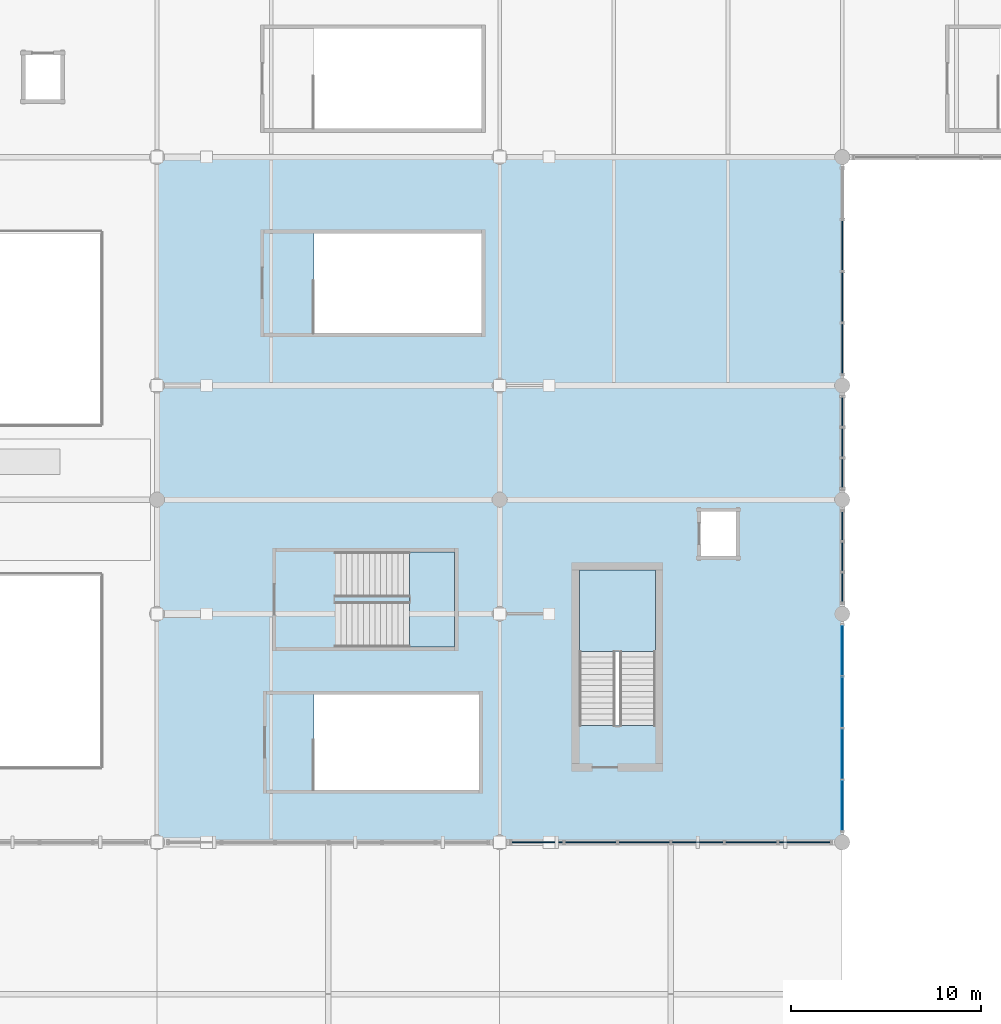
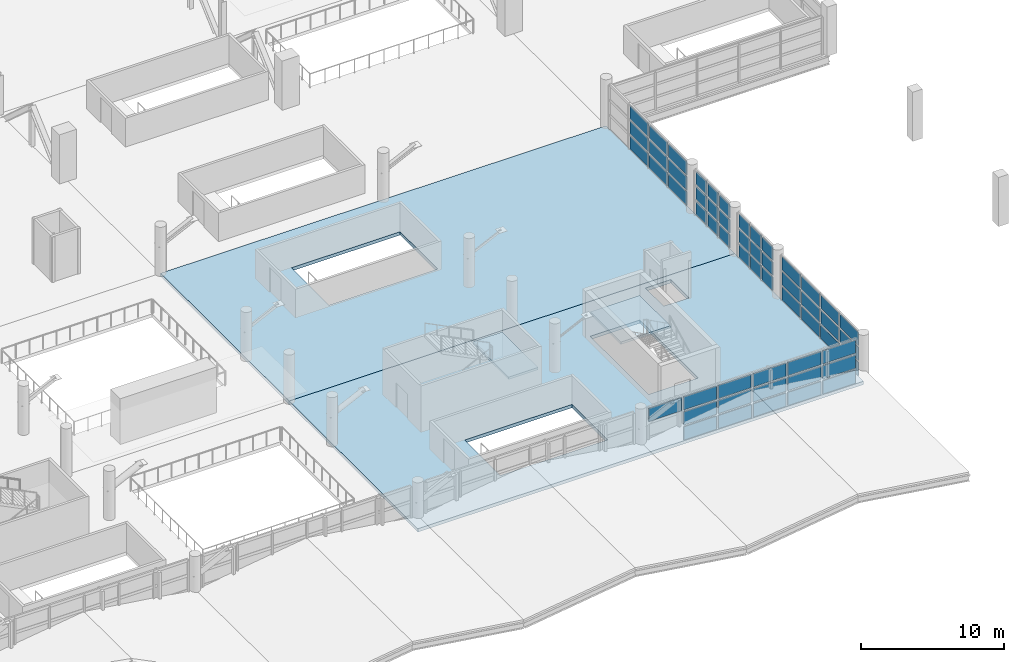
# One storey, part 99 of 136: 55 plates, 4 slabs, 7 elements without a shape of their own.
"""IFC4 building model written with IfcOpenShell, lengths in metres."""

from ifc_helpers import new_model, si_unit, direction, frame, origin, origin_2d, place, context, subcontext, project, spatial, polyline, rectangle, outline, extrude, material, layer, layer_set, type_object, element, aggregate, save


model = new_model("IFC4")

# Units and contexts
model_context = context("Model", 3, precision=1e-05, world=origin(), true_north=direction((0.0, 1.0)))
body_context = subcontext(model_context, "Body", "Model", "MODEL_VIEW")
ifc_project = project(units=[si_unit("LENGTHUNIT", "METRE"), si_unit("AREAUNIT", "SQUARE_METRE"), si_unit("VOLUMEUNIT", "CUBIC_METRE"), si_unit("PLANEANGLEUNIT", "RADIAN"), si_unit("MASSUNIT", "GRAM", prefix="KILO")], contexts=[model_context])

# Site, building, storey
site_placement = place(None, origin())
site = spatial("IfcSite", under=ifc_project, at=site_placement, CompositionType="ELEMENT")
building_placement = place(site_placement, origin())
building = spatial("IfcBuilding", under=site, at=building_placement, Name="Chuanluo Vaults Station", CompositionType="ELEMENT")
storey_placement = place(building_placement, frame((0.0, 0.0, 6.60009765625)))
storey = spatial("IfcBuildingStorey", under=building, at=storey_placement, Name="L01", CompositionType="ELEMENT", Elevation=6.60009765625)

# Curtain wall, plates
ifc_material_1 = material(Name="Anodised aluminium 6063-T6", Category="aluminium")
curtain_wall_type_1 = type_object("IfcCurtainWallType", Name="CW-SYS-05", PredefinedType="NOTDEFINED", material=ifc_material_1)
curtain_wall_1_placement = place(storey_placement, origin())
curtain_wall_1 = element("IfcCurtainWall", 1, at=curtain_wall_1_placement, inside=storey, type_object=curtain_wall_type_1, Name="Concourse east curtain wall 30 part 1", PredefinedType="NOTDEFINED")
ifc_material_2 = material(Name="Ceramic-fritted spandrel glass", Category="glass")
ifc_layer_1 = layer(ifc_material_2, 0.06396484375)
ifc_layer_set_1 = layer_set([ifc_layer_1], Name="Ceramic-fritted spandrel glass")
plate_type_1 = type_object("IfcPlateType", Name="CWP-SPN-42", PredefinedType="SHEET", material=ifc_layer_set_1)
plate_1_placement = place(storey_placement, frame((90.0, 40.61669921875, 0.080078125), z_axis=(0.0, 0.0, 1.0), x_axis=(0.0, -1.0, 0.0)))
plate_1 = element("IfcPlate", 2, at=plate_1_placement, type_object=plate_type_1, Name="Concourse east curtain wall 30 part 1 glazed panel 1.1", PredefinedType="SHEET", context=body_context, shape_type="SweptSolid", body=[
    extrude(rectangle(XDim=1.456787109375, YDim=0.06396484375, at=origin_2d()), origin(), (0.0, 0.0, 1.0), 1.123291015625),
])
plate_2_placement = place(storey_placement, frame((90.0, 39.0, 0.080078125), z_axis=(0.0, 0.0, 1.0), x_axis=(0.0, -1.0, 0.0)))
plate_2 = element("IfcPlate", 3, at=plate_2_placement, type_object=plate_type_1, Name="Concourse east curtain wall 30 part 1 glazed panel 2.1", PredefinedType="SHEET", context=body_context, shape_type="SweptSolid", body=[
    extrude(rectangle(XDim=1.456787109375, YDim=0.06396484375, at=origin_2d()), origin(), (0.0, 0.0, 1.0), 1.123291015625),
])
plate_3_placement = place(storey_placement, frame((90.0, 37.38330078125, 0.080078125), z_axis=(0.0, 0.0, 1.0), x_axis=(0.0, -1.0, 0.0)))
plate_3 = element("IfcPlate", 4, at=plate_3_placement, type_object=plate_type_1, Name="Concourse east curtain wall 30 part 1 glazed panel 3.1", PredefinedType="SHEET", context=body_context, shape_type="SweptSolid", body=[
    extrude(rectangle(XDim=1.456787109375, YDim=0.06396484375, at=origin_2d()), origin(), (0.0, 0.0, 1.0), 1.123291015625),
])

ifc_material_3 = material(Name="Anodised aluminium 6063-T6", Category="aluminium")
curtain_wall_type_2 = type_object("IfcCurtainWallType", Name="CW-SYS-18", PredefinedType="NOTDEFINED", material=ifc_material_3)
curtain_wall_2_placement = place(storey_placement, origin())
curtain_wall_2 = element("IfcCurtainWall", 5, at=curtain_wall_2_placement, inside=storey, type_object=curtain_wall_type_2, Name="Concourse V5 south facade CW", PredefinedType="NOTDEFINED")
ifc_material_4 = material(Name="Ceramic-fritted spandrel glass", Category="glass")
ifc_layer_2 = layer(ifc_material_4, 0.070068359375)
ifc_layer_set_2 = layer_set([ifc_layer_2], Name="Ceramic-fritted spandrel glass")
plate_type_2 = type_object("IfcPlateType", Name="CWP-SPN-50", PredefinedType="SHEET", material=ifc_layer_set_2)
plate_4_placement = place(storey_placement, frame((88.020751953125, 18.0, 0.080078125), z_axis=(0.0, 0.0, 1.0), x_axis=(-1.0, 0.0, 0.0)))
plate_4 = element("IfcPlate", 6, at=plate_4_placement, type_object=plate_type_2, Name="Concourse V5 south facade CW glazed panel 1.1", PredefinedType="SHEET", context=body_context, shape_type="SweptSolid", body=[
    extrude(rectangle(XDim=2.648193359375, YDim=0.070068359375, at=origin_2d()), origin(), (0.0, 0.0, 1.0), 1.123291015625),
])
plate_5_placement = place(storey_placement, frame((85.21240234375, 18.0, 0.080078125), z_axis=(0.0, 0.0, 1.0), x_axis=(-1.0, 0.0, 0.0)))
plate_5 = element("IfcPlate", 7, at=plate_5_placement, type_object=plate_type_2, Name="Concourse V5 south facade CW glazed panel 2.1", PredefinedType="SHEET", context=body_context, shape_type="SweptSolid", body=[
    extrude(rectangle(XDim=2.648193359375, YDim=0.070068359375, at=origin_2d()), origin(), (0.0, 0.0, 1.0), 1.123291015625),
])
plate_6_placement = place(storey_placement, frame((82.404296875, 18.0, 0.080078125), z_axis=(0.0, 0.0, 1.0), x_axis=(-1.0, 0.0, 0.0)))
plate_6 = element("IfcPlate", 8, at=plate_6_placement, type_object=plate_type_2, Name="Concourse V5 south facade CW glazed panel 3.1", PredefinedType="SHEET", context=body_context, shape_type="SweptSolid", body=[
    extrude(rectangle(XDim=2.648193359375, YDim=0.070068359375, at=origin_2d()), origin(), (0.0, 0.0, 1.0), 1.123291015625),
])
plate_7_placement = place(storey_placement, frame((79.595703125, 18.0, 0.080078125), z_axis=(0.0, 0.0, 1.0), x_axis=(-1.0, 0.0, 0.0)))
plate_7 = element("IfcPlate", 9, at=plate_7_placement, type_object=plate_type_2, Name="Concourse V5 south facade CW glazed panel 4.1", PredefinedType="SHEET", context=body_context, shape_type="SweptSolid", body=[
    extrude(rectangle(XDim=2.648193359375, YDim=0.070068359375, at=origin_2d()), origin(), (0.0, 0.0, 1.0), 1.123291015625),
])
plate_8_placement = place(storey_placement, frame((76.78759765625, 18.0, 0.080078125), z_axis=(0.0, 0.0, 1.0), x_axis=(-1.0, 0.0, 0.0)))
plate_8 = element("IfcPlate", 10, at=plate_8_placement, type_object=plate_type_2, Name="Concourse V5 south facade CW glazed panel 5.1", PredefinedType="SHEET", context=body_context, shape_type="SweptSolid", body=[
    extrude(rectangle(XDim=2.648193359375, YDim=0.070068359375, at=origin_2d()), origin(), (0.0, 0.0, 1.0), 1.123291015625),
])

ifc_material_5 = material(Name="Anodised aluminium 6063-T6", Category="aluminium")
curtain_wall_type_3 = type_object("IfcCurtainWallType", Name="CW-SYS-28", PredefinedType="NOTDEFINED", material=ifc_material_5)
curtain_wall_3_placement = place(storey_placement, origin())
curtain_wall_3 = element("IfcCurtainWall", 11, at=curtain_wall_3_placement, inside=storey, type_object=curtain_wall_type_3, Name="Concourse east curtain wall 18", PredefinedType="NOTDEFINED")
plate_9_placement = place(storey_placement, frame((90.0, 28.06884765625, 0.080078125), z_axis=(0.0, 0.0, 1.0), x_axis=(0.0, -1.0, 0.0)))
plate_9 = element("IfcPlate", 12, at=plate_9_placement, type_object=plate_type_2, Name="Concourse east curtain wall 18 glazed panel 1.1", PredefinedType="SHEET", context=body_context, shape_type="SweptSolid", body=[
    extrude(rectangle(XDim=2.552490234375, YDim=0.070068359375, at=origin_2d()), origin(), (0.0, 0.0, 1.0), 1.123291015625),
])
plate_10_placement = place(storey_placement, frame((90.0, 25.356201171875, 0.080078125), z_axis=(0.0, 0.0, 1.0), x_axis=(0.0, -1.0, 0.0)))
plate_10 = element("IfcPlate", 13, at=plate_10_placement, type_object=plate_type_2, Name="Concourse east curtain wall 18 glazed panel 2.1", PredefinedType="SHEET", context=body_context, shape_type="SweptSolid", body=[
    extrude(rectangle(XDim=2.552490234375, YDim=0.070068359375, at=origin_2d()), origin(), (0.0, 0.0, 1.0), 1.123291015625),
])
plate_11_placement = place(storey_placement, frame((90.0, 22.643798828125, 0.080078125), z_axis=(0.0, 0.0, 1.0), x_axis=(0.0, -1.0, 0.0)))
plate_11 = element("IfcPlate", 14, at=plate_11_placement, type_object=plate_type_2, Name="Concourse east curtain wall 18 glazed panel 3.1", PredefinedType="SHEET", context=body_context, shape_type="SweptSolid", body=[
    extrude(rectangle(XDim=2.552490234375, YDim=0.070068359375, at=origin_2d()), origin(), (0.0, 0.0, 1.0), 1.123291015625),
])
plate_12_placement = place(storey_placement, frame((90.0, 19.93115234375, 0.080078125), z_axis=(0.0, 0.0, 1.0), x_axis=(0.0, -1.0, 0.0)))
plate_12 = element("IfcPlate", 15, at=plate_12_placement, type_object=plate_type_2, Name="Concourse east curtain wall 18 glazed panel 4.1", PredefinedType="SHEET", context=body_context, shape_type="SweptSolid", body=[
    extrude(rectangle(XDim=2.552490234375, YDim=0.070068359375, at=origin_2d()), origin(), (0.0, 0.0, 1.0), 1.123291015625),
])

ifc_material_6 = material(Name="Anodised aluminium 6063-T6", Category="aluminium")
curtain_wall_type_4 = type_object("IfcCurtainWallType", Name="CW-SYS-06", PredefinedType="NOTDEFINED", material=ifc_material_6)
curtain_wall_4_placement = place(storey_placement, origin())
curtain_wall_4 = element("IfcCurtainWall", 16, at=curtain_wall_4_placement, inside=storey, type_object=curtain_wall_type_4, Name="Concourse east curtain wall 30 part 2", PredefinedType="NOTDEFINED")
plate_13_placement = place(storey_placement, frame((90.0, 34.61669921875, 0.080078125), z_axis=(0.0, 0.0, 1.0), x_axis=(0.0, -1.0, 0.0)))
plate_13 = element("IfcPlate", 17, at=plate_13_placement, type_object=plate_type_2, Name="Concourse east curtain wall 30 part 2 glazed panel 1.1", PredefinedType="SHEET", context=body_context, shape_type="SweptSolid", body=[
    extrude(rectangle(XDim=1.456787109375, YDim=0.070068359375, at=origin_2d()), origin(), (0.0, 0.0, 1.0), 1.123291015625),
])
plate_14_placement = place(storey_placement, frame((90.0, 33.0, 0.080078125), z_axis=(0.0, 0.0, 1.0), x_axis=(0.0, -1.0, 0.0)))
plate_14 = element("IfcPlate", 18, at=plate_14_placement, type_object=plate_type_2, Name="Concourse east curtain wall 30 part 2 glazed panel 2.1", PredefinedType="SHEET", context=body_context, shape_type="SweptSolid", body=[
    extrude(rectangle(XDim=1.456787109375, YDim=0.070068359375, at=origin_2d()), origin(), (0.0, 0.0, 1.0), 1.123291015625),
])
plate_15_placement = place(storey_placement, frame((90.0, 31.38330078125, 0.080078125), z_axis=(0.0, 0.0, 1.0), x_axis=(0.0, -1.0, 0.0)))
plate_15 = element("IfcPlate", 19, at=plate_15_placement, type_object=plate_type_2, Name="Concourse east curtain wall 30 part 2 glazed panel 3.1", PredefinedType="SHEET", context=body_context, shape_type="SweptSolid", body=[
    extrude(rectangle(XDim=1.456787109375, YDim=0.070068359375, at=origin_2d()), origin(), (0.0, 0.0, 1.0), 1.123291015625),
])

ifc_material_7 = material(Name="Anodised aluminium 6063-T6", Category="aluminium")
curtain_wall_type_5 = type_object("IfcCurtainWallType", Name="CW-SYS-10", PredefinedType="NOTDEFINED", material=ifc_material_7)
curtain_wall_5_placement = place(storey_placement, origin())
curtain_wall_5 = element("IfcCurtainWall", 20, at=curtain_wall_5_placement, inside=storey, type_object=curtain_wall_type_5, Name="Concourse east curtain wall 42", PredefinedType="NOTDEFINED")
plate_16_placement = place(storey_placement, frame((90.0, 49.356201171875, 0.080078125), z_axis=(0.0, 0.0, 1.0), x_axis=(0.0, -1.0, 0.0)))
plate_16 = element("IfcPlate", 21, at=plate_16_placement, type_object=plate_type_2, Name="Concourse east curtain wall 42 glazed panel 2.1", PredefinedType="SHEET", context=body_context, shape_type="SweptSolid", body=[
    extrude(rectangle(XDim=2.552490234375, YDim=0.070068359375, at=origin_2d()), origin(), (0.0, 0.0, 1.0), 1.123291015625),
])
plate_17_placement = place(storey_placement, frame((90.0, 46.643798828125, 0.080078125), z_axis=(0.0, 0.0, 1.0), x_axis=(0.0, -1.0, 0.0)))
plate_17 = element("IfcPlate", 22, at=plate_17_placement, type_object=plate_type_2, Name="Concourse east curtain wall 42 glazed panel 3.1", PredefinedType="SHEET", context=body_context, shape_type="SweptSolid", body=[
    extrude(rectangle(XDim=2.552490234375, YDim=0.070068359375, at=origin_2d()), origin(), (0.0, 0.0, 1.0), 1.123291015625),
])
plate_18_placement = place(storey_placement, frame((90.0, 43.931396484375, 0.080078125), z_axis=(0.0, 0.0, 1.0), x_axis=(0.0, -1.0, 0.0)))
plate_18 = element("IfcPlate", 23, at=plate_18_placement, type_object=plate_type_2, Name="Concourse east curtain wall 42 glazed panel 4.1", PredefinedType="SHEET", context=body_context, shape_type="SweptSolid", body=[
    extrude(rectangle(XDim=2.552490234375, YDim=0.070068359375, at=origin_2d()), origin(), (0.0, 0.0, 1.0), 1.123291015625),
])

# Plate
ifc_material_8 = material(Name="Double-silver Low-E laminated glass", Category="glass")
ifc_layer_3 = layer(ifc_material_8, 0.0439453125)
ifc_layer_set_3 = layer_set([ifc_layer_3], Name="Double-silver Low-E laminated glass")
plate_type_3 = type_object("IfcPlateType", Name="CWP-VIS-28", PredefinedType="CURTAIN_PANEL", material=ifc_layer_set_3)
plate_19_placement = place(storey_placement, frame((90.0, 28.06884765625, 1.36328125), z_axis=(0.0, 0.0, 1.0), x_axis=(0.0, -1.0, 0.0)))
plate_19 = element("IfcPlate", 24, at=plate_19_placement, type_object=plate_type_3, Name="Concourse east curtain wall 18 glazed panel 1.2", PredefinedType="CURTAIN_PANEL", context=body_context, shape_type="SweptSolid", body=[
    extrude(rectangle(XDim=2.552490234375, YDim=0.0439453125, at=origin_2d()), origin(), (0.0, 0.0, 1.0), 1.123291015625),
])

plate_20_placement = place(storey_placement, frame((90.0, 28.06884765625, 2.646484375), z_axis=(0.0, 0.0, 1.0), x_axis=(0.0, -1.0, 0.0)))
plate_20 = element("IfcPlate", 25, at=plate_20_placement, type_object=plate_type_3, Name="Concourse east curtain wall 18 glazed panel 1.3", PredefinedType="CURTAIN_PANEL", context=body_context, shape_type="SweptSolid", body=[
    extrude(rectangle(XDim=2.552490234375, YDim=0.0439453125, at=origin_2d()), origin(), (0.0, 0.0, 1.0), 1.123291015625),
])

plate_21_placement = place(storey_placement, frame((90.0, 25.356201171875, 1.36328125), z_axis=(0.0, 0.0, 1.0), x_axis=(0.0, -1.0, 0.0)))
plate_21 = element("IfcPlate", 26, at=plate_21_placement, type_object=plate_type_3, Name="Concourse east curtain wall 18 glazed panel 2.2", PredefinedType="CURTAIN_PANEL", context=body_context, shape_type="SweptSolid", body=[
    extrude(rectangle(XDim=2.552490234375, YDim=0.0439453125, at=origin_2d()), origin(), (0.0, 0.0, 1.0), 1.123291015625),
])

plate_22_placement = place(storey_placement, frame((90.0, 25.356201171875, 2.646484375), z_axis=(0.0, 0.0, 1.0), x_axis=(0.0, -1.0, 0.0)))
plate_22 = element("IfcPlate", 27, at=plate_22_placement, type_object=plate_type_3, Name="Concourse east curtain wall 18 glazed panel 2.3", PredefinedType="CURTAIN_PANEL", context=body_context, shape_type="SweptSolid", body=[
    extrude(rectangle(XDim=2.552490234375, YDim=0.0439453125, at=origin_2d()), origin(), (0.0, 0.0, 1.0), 1.123291015625),
])

plate_23_placement = place(storey_placement, frame((90.0, 22.643798828125, 1.36328125), z_axis=(0.0, 0.0, 1.0), x_axis=(0.0, -1.0, 0.0)))
plate_23 = element("IfcPlate", 28, at=plate_23_placement, type_object=plate_type_3, Name="Concourse east curtain wall 18 glazed panel 3.2", PredefinedType="CURTAIN_PANEL", context=body_context, shape_type="SweptSolid", body=[
    extrude(rectangle(XDim=2.552490234375, YDim=0.0439453125, at=origin_2d()), origin(), (0.0, 0.0, 1.0), 1.123291015625),
])

plate_24_placement = place(storey_placement, frame((90.0, 22.643798828125, 2.646484375), z_axis=(0.0, 0.0, 1.0), x_axis=(0.0, -1.0, 0.0)))
plate_24 = element("IfcPlate", 29, at=plate_24_placement, type_object=plate_type_3, Name="Concourse east curtain wall 18 glazed panel 3.3", PredefinedType="CURTAIN_PANEL", context=body_context, shape_type="SweptSolid", body=[
    extrude(rectangle(XDim=2.552490234375, YDim=0.0439453125, at=origin_2d()), origin(), (0.0, 0.0, 1.0), 1.123291015625),
])

plate_25_placement = place(storey_placement, frame((90.0, 19.93115234375, 1.36328125), z_axis=(0.0, 0.0, 1.0), x_axis=(0.0, -1.0, 0.0)))
plate_25 = element("IfcPlate", 30, at=plate_25_placement, type_object=plate_type_3, Name="Concourse east curtain wall 18 glazed panel 4.2", PredefinedType="CURTAIN_PANEL", context=body_context, shape_type="SweptSolid", body=[
    extrude(rectangle(XDim=2.552490234375, YDim=0.0439453125, at=origin_2d()), origin(), (0.0, 0.0, 1.0), 1.123291015625),
])

plate_26_placement = place(storey_placement, frame((90.0, 19.93115234375, 2.646484375), z_axis=(0.0, 0.0, 1.0), x_axis=(0.0, -1.0, 0.0)))
plate_26 = element("IfcPlate", 31, at=plate_26_placement, type_object=plate_type_3, Name="Concourse east curtain wall 18 glazed panel 4.3", PredefinedType="CURTAIN_PANEL", context=body_context, shape_type="SweptSolid", body=[
    extrude(rectangle(XDim=2.552490234375, YDim=0.0439453125, at=origin_2d()), origin(), (0.0, 0.0, 1.0), 1.123291015625),
])

aggregate(curtain_wall_3, [plate_9, plate_19, plate_20, plate_10, plate_21, plate_22, plate_11, plate_23, plate_24, plate_12, plate_25, plate_26])

ifc_material_9 = material(Name="Double-silver Low-E laminated glass", Category="glass")
ifc_layer_4 = layer(ifc_material_9, 0.053955078125)
ifc_layer_set_4 = layer_set([ifc_layer_4], Name="Double-silver Low-E laminated glass")
plate_type_4 = type_object("IfcPlateType", Name="CWP-VIS-36", PredefinedType="CURTAIN_PANEL", material=ifc_layer_set_4)
plate_27_placement = place(storey_placement, frame((88.020751953125, 18.0, 1.36328125), z_axis=(0.0, 0.0, 1.0), x_axis=(-1.0, 0.0, 0.0)))
plate_27 = element("IfcPlate", 32, at=plate_27_placement, type_object=plate_type_4, Name="Concourse V5 south facade CW glazed panel 1.2", PredefinedType="CURTAIN_PANEL", context=body_context, shape_type="SweptSolid", body=[
    extrude(rectangle(XDim=2.648193359375, YDim=0.053955078125, at=origin_2d()), origin(), (0.0, 0.0, 1.0), 1.123291015625),
])

plate_28_placement = place(storey_placement, frame((88.020751953125, 18.0, 2.646484375), z_axis=(0.0, 0.0, 1.0), x_axis=(-1.0, 0.0, 0.0)))
plate_28 = element("IfcPlate", 33, at=plate_28_placement, type_object=plate_type_4, Name="Concourse V5 south facade CW glazed panel 1.3", PredefinedType="CURTAIN_PANEL", context=body_context, shape_type="SweptSolid", body=[
    extrude(rectangle(XDim=2.648193359375, YDim=0.053955078125, at=origin_2d()), origin(), (0.0, 0.0, 1.0), 1.123291015625),
])

plate_29_placement = place(storey_placement, frame((85.21240234375, 18.0, 1.36328125), z_axis=(0.0, 0.0, 1.0), x_axis=(-1.0, 0.0, 0.0)))
plate_29 = element("IfcPlate", 34, at=plate_29_placement, type_object=plate_type_4, Name="Concourse V5 south facade CW glazed panel 2.2", PredefinedType="CURTAIN_PANEL", context=body_context, shape_type="SweptSolid", body=[
    extrude(rectangle(XDim=2.648193359375, YDim=0.053955078125, at=origin_2d()), origin(), (0.0, 0.0, 1.0), 1.123291015625),
])

plate_30_placement = place(storey_placement, frame((85.21240234375, 18.0, 2.646484375), z_axis=(0.0, 0.0, 1.0), x_axis=(-1.0, 0.0, 0.0)))
plate_30 = element("IfcPlate", 35, at=plate_30_placement, type_object=plate_type_4, Name="Concourse V5 south facade CW glazed panel 2.3", PredefinedType="CURTAIN_PANEL", context=body_context, shape_type="SweptSolid", body=[
    extrude(rectangle(XDim=2.648193359375, YDim=0.053955078125, at=origin_2d()), origin(), (0.0, 0.0, 1.0), 1.123291015625),
])

plate_31_placement = place(storey_placement, frame((82.404296875, 18.0, 1.36328125), z_axis=(0.0, 0.0, 1.0), x_axis=(-1.0, 0.0, 0.0)))
plate_31 = element("IfcPlate", 36, at=plate_31_placement, type_object=plate_type_4, Name="Concourse V5 south facade CW glazed panel 3.2", PredefinedType="CURTAIN_PANEL", context=body_context, shape_type="SweptSolid", body=[
    extrude(rectangle(XDim=2.648193359375, YDim=0.053955078125, at=origin_2d()), origin(), (0.0, 0.0, 1.0), 1.123291015625),
])

plate_32_placement = place(storey_placement, frame((82.404296875, 18.0, 2.646484375), z_axis=(0.0, 0.0, 1.0), x_axis=(-1.0, 0.0, 0.0)))
plate_32 = element("IfcPlate", 37, at=plate_32_placement, type_object=plate_type_4, Name="Concourse V5 south facade CW glazed panel 3.3", PredefinedType="CURTAIN_PANEL", context=body_context, shape_type="SweptSolid", body=[
    extrude(rectangle(XDim=2.648193359375, YDim=0.053955078125, at=origin_2d()), origin(), (0.0, 0.0, 1.0), 1.123291015625),
])

plate_33_placement = place(storey_placement, frame((79.595703125, 18.0, 1.36328125), z_axis=(0.0, 0.0, 1.0), x_axis=(-1.0, 0.0, 0.0)))
plate_33 = element("IfcPlate", 38, at=plate_33_placement, type_object=plate_type_4, Name="Concourse V5 south facade CW glazed panel 4.2", PredefinedType="CURTAIN_PANEL", context=body_context, shape_type="SweptSolid", body=[
    extrude(rectangle(XDim=2.648193359375, YDim=0.053955078125, at=origin_2d()), origin(), (0.0, 0.0, 1.0), 1.123291015625),
])

plate_34_placement = place(storey_placement, frame((79.595703125, 18.0, 2.646484375), z_axis=(0.0, 0.0, 1.0), x_axis=(-1.0, 0.0, 0.0)))
plate_34 = element("IfcPlate", 39, at=plate_34_placement, type_object=plate_type_4, Name="Concourse V5 south facade CW glazed panel 4.3", PredefinedType="CURTAIN_PANEL", context=body_context, shape_type="SweptSolid", body=[
    extrude(rectangle(XDim=2.648193359375, YDim=0.053955078125, at=origin_2d()), origin(), (0.0, 0.0, 1.0), 1.123291015625),
])

plate_35_placement = place(storey_placement, frame((76.78759765625, 18.0, 1.36328125), z_axis=(0.0, 0.0, 1.0), x_axis=(-1.0, 0.0, 0.0)))
plate_35 = element("IfcPlate", 40, at=plate_35_placement, type_object=plate_type_4, Name="Concourse V5 south facade CW glazed panel 5.2", PredefinedType="CURTAIN_PANEL", context=body_context, shape_type="SweptSolid", body=[
    extrude(rectangle(XDim=2.648193359375, YDim=0.053955078125, at=origin_2d()), origin(), (0.0, 0.0, 1.0), 1.123291015625),
])

plate_36_placement = place(storey_placement, frame((76.78759765625, 18.0, 2.646484375), z_axis=(0.0, 0.0, 1.0), x_axis=(-1.0, 0.0, 0.0)))
plate_36 = element("IfcPlate", 41, at=plate_36_placement, type_object=plate_type_4, Name="Concourse V5 south facade CW glazed panel 5.3", PredefinedType="CURTAIN_PANEL", context=body_context, shape_type="SweptSolid", body=[
    extrude(rectangle(XDim=2.648193359375, YDim=0.053955078125, at=origin_2d()), origin(), (0.0, 0.0, 1.0), 1.123291015625),
])

plate_37_placement = place(storey_placement, frame((73.979248046875, 18.0, 2.646484375), z_axis=(0.0, 0.0, 1.0), x_axis=(-1.0, 0.0, 0.0)))
plate_37 = element("IfcPlate", 42, at=plate_37_placement, type_object=plate_type_4, Name="Concourse V5 south facade CW glazed panel 6.3", PredefinedType="CURTAIN_PANEL", context=body_context, shape_type="SweptSolid", body=[
    extrude(rectangle(XDim=2.648193359375, YDim=0.053955078125, at=origin_2d()), origin(), (0.0, 0.0, 1.0), 1.123291015625),
])

aggregate(curtain_wall_2, [plate_4, plate_27, plate_28, plate_5, plate_29, plate_30, plate_6, plate_31, plate_32, plate_7, plate_33, plate_34, plate_8, plate_35, plate_36, plate_37])

plate_38_placement = place(storey_placement, frame((90.0, 34.61669921875, 1.36328125), z_axis=(0.0, 0.0, 1.0), x_axis=(0.0, -1.0, 0.0)))
plate_38 = element("IfcPlate", 43, at=plate_38_placement, type_object=plate_type_4, Name="Concourse east curtain wall 30 part 2 glazed panel 1.2", PredefinedType="CURTAIN_PANEL", context=body_context, shape_type="SweptSolid", body=[
    extrude(rectangle(XDim=1.456787109375, YDim=0.053955078125, at=origin_2d()), origin(), (0.0, 0.0, 1.0), 1.123291015625),
])

plate_39_placement = place(storey_placement, frame((90.0, 34.61669921875, 2.646484375), z_axis=(0.0, 0.0, 1.0), x_axis=(0.0, -1.0, 0.0)))
plate_39 = element("IfcPlate", 44, at=plate_39_placement, type_object=plate_type_4, Name="Concourse east curtain wall 30 part 2 glazed panel 1.3", PredefinedType="CURTAIN_PANEL", context=body_context, shape_type="SweptSolid", body=[
    extrude(rectangle(XDim=1.456787109375, YDim=0.053955078125, at=origin_2d()), origin(), (0.0, 0.0, 1.0), 1.123291015625),
])

plate_40_placement = place(storey_placement, frame((90.0, 33.0, 1.36328125), z_axis=(0.0, 0.0, 1.0), x_axis=(0.0, -1.0, 0.0)))
plate_40 = element("IfcPlate", 45, at=plate_40_placement, type_object=plate_type_4, Name="Concourse east curtain wall 30 part 2 glazed panel 2.2", PredefinedType="CURTAIN_PANEL", context=body_context, shape_type="SweptSolid", body=[
    extrude(rectangle(XDim=1.456787109375, YDim=0.053955078125, at=origin_2d()), origin(), (0.0, 0.0, 1.0), 1.123291015625),
])

plate_41_placement = place(storey_placement, frame((90.0, 33.0, 2.646484375), z_axis=(0.0, 0.0, 1.0), x_axis=(0.0, -1.0, 0.0)))
plate_41 = element("IfcPlate", 46, at=plate_41_placement, type_object=plate_type_4, Name="Concourse east curtain wall 30 part 2 glazed panel 2.3", PredefinedType="CURTAIN_PANEL", context=body_context, shape_type="SweptSolid", body=[
    extrude(rectangle(XDim=1.456787109375, YDim=0.053955078125, at=origin_2d()), origin(), (0.0, 0.0, 1.0), 1.123291015625),
])

plate_42_placement = place(storey_placement, frame((90.0, 31.38330078125, 1.36328125), z_axis=(0.0, 0.0, 1.0), x_axis=(0.0, -1.0, 0.0)))
plate_42 = element("IfcPlate", 47, at=plate_42_placement, type_object=plate_type_4, Name="Concourse east curtain wall 30 part 2 glazed panel 3.2", PredefinedType="CURTAIN_PANEL", context=body_context, shape_type="SweptSolid", body=[
    extrude(rectangle(XDim=1.456787109375, YDim=0.053955078125, at=origin_2d()), origin(), (0.0, 0.0, 1.0), 1.123291015625),
])

plate_43_placement = place(storey_placement, frame((90.0, 31.38330078125, 2.646484375), z_axis=(0.0, 0.0, 1.0), x_axis=(0.0, -1.0, 0.0)))
plate_43 = element("IfcPlate", 48, at=plate_43_placement, type_object=plate_type_4, Name="Concourse east curtain wall 30 part 2 glazed panel 3.3", PredefinedType="CURTAIN_PANEL", context=body_context, shape_type="SweptSolid", body=[
    extrude(rectangle(XDim=1.456787109375, YDim=0.053955078125, at=origin_2d()), origin(), (0.0, 0.0, 1.0), 1.123291015625),
])

aggregate(curtain_wall_4, [plate_13, plate_38, plate_39, plate_14, plate_40, plate_41, plate_15, plate_42, plate_43])

plate_44_placement = place(storey_placement, frame((90.0, 49.356201171875, 1.36328125), z_axis=(0.0, 0.0, 1.0), x_axis=(0.0, -1.0, 0.0)))
plate_44 = element("IfcPlate", 49, at=plate_44_placement, type_object=plate_type_4, Name="Concourse east curtain wall 42 glazed panel 2.2", PredefinedType="CURTAIN_PANEL", context=body_context, shape_type="SweptSolid", body=[
    extrude(rectangle(XDim=2.552490234375, YDim=0.053955078125, at=origin_2d()), origin(), (0.0, 0.0, 1.0), 1.123291015625),
])

plate_45_placement = place(storey_placement, frame((90.0, 49.356201171875, 2.646484375), z_axis=(0.0, 0.0, 1.0), x_axis=(0.0, -1.0, 0.0)))
plate_45 = element("IfcPlate", 50, at=plate_45_placement, type_object=plate_type_4, Name="Concourse east curtain wall 42 glazed panel 2.3", PredefinedType="CURTAIN_PANEL", context=body_context, shape_type="SweptSolid", body=[
    extrude(rectangle(XDim=2.552490234375, YDim=0.053955078125, at=origin_2d()), origin(), (0.0, 0.0, 1.0), 1.123291015625),
])

plate_46_placement = place(storey_placement, frame((90.0, 46.643798828125, 1.36328125), z_axis=(0.0, 0.0, 1.0), x_axis=(0.0, -1.0, 0.0)))
plate_46 = element("IfcPlate", 51, at=plate_46_placement, type_object=plate_type_4, Name="Concourse east curtain wall 42 glazed panel 3.2", PredefinedType="CURTAIN_PANEL", context=body_context, shape_type="SweptSolid", body=[
    extrude(rectangle(XDim=2.552490234375, YDim=0.053955078125, at=origin_2d()), origin(), (0.0, 0.0, 1.0), 1.123291015625),
])

plate_47_placement = place(storey_placement, frame((90.0, 46.643798828125, 2.646484375), z_axis=(0.0, 0.0, 1.0), x_axis=(0.0, -1.0, 0.0)))
plate_47 = element("IfcPlate", 52, at=plate_47_placement, type_object=plate_type_4, Name="Concourse east curtain wall 42 glazed panel 3.3", PredefinedType="CURTAIN_PANEL", context=body_context, shape_type="SweptSolid", body=[
    extrude(rectangle(XDim=2.552490234375, YDim=0.053955078125, at=origin_2d()), origin(), (0.0, 0.0, 1.0), 1.123291015625),
])

plate_48_placement = place(storey_placement, frame((90.0, 43.931396484375, 1.36328125), z_axis=(0.0, 0.0, 1.0), x_axis=(0.0, -1.0, 0.0)))
plate_48 = element("IfcPlate", 53, at=plate_48_placement, type_object=plate_type_4, Name="Concourse east curtain wall 42 glazed panel 4.2", PredefinedType="CURTAIN_PANEL", context=body_context, shape_type="SweptSolid", body=[
    extrude(rectangle(XDim=2.552490234375, YDim=0.053955078125, at=origin_2d()), origin(), (0.0, 0.0, 1.0), 1.123291015625),
])

plate_49_placement = place(storey_placement, frame((90.0, 43.931396484375, 2.646484375), z_axis=(0.0, 0.0, 1.0), x_axis=(0.0, -1.0, 0.0)))
plate_49 = element("IfcPlate", 54, at=plate_49_placement, type_object=plate_type_4, Name="Concourse east curtain wall 42 glazed panel 4.3", PredefinedType="CURTAIN_PANEL", context=body_context, shape_type="SweptSolid", body=[
    extrude(rectangle(XDim=2.552490234375, YDim=0.053955078125, at=origin_2d()), origin(), (0.0, 0.0, 1.0), 1.123291015625),
])

aggregate(curtain_wall_5, [plate_16, plate_44, plate_45, plate_17, plate_46, plate_47, plate_18, plate_48, plate_49])

ifc_material_10 = material(Name="Double-silver Low-E laminated glass", Category="glass")
ifc_layer_5 = layer(ifc_material_10, 0.05810546875)
ifc_layer_set_5 = layer_set([ifc_layer_5], Name="Double-silver Low-E laminated glass")
plate_type_5 = type_object("IfcPlateType", Name="CWP-VIS-38", PredefinedType="CURTAIN_PANEL", material=ifc_layer_set_5)
plate_50_placement = place(storey_placement, frame((90.0, 40.61669921875, 1.36328125), z_axis=(0.0, 0.0, 1.0), x_axis=(0.0, -1.0, 0.0)))
plate_50 = element("IfcPlate", 55, at=plate_50_placement, type_object=plate_type_5, Name="Concourse east curtain wall 30 part 1 glazed panel 1.2", PredefinedType="CURTAIN_PANEL", context=body_context, shape_type="SweptSolid", body=[
    extrude(rectangle(XDim=1.456787109375, YDim=0.05810546875, at=origin_2d()), origin(), (0.0, 0.0, 1.0), 1.123291015625),
])

plate_51_placement = place(storey_placement, frame((90.0, 40.61669921875, 2.646484375), z_axis=(0.0, 0.0, 1.0), x_axis=(0.0, -1.0, 0.0)))
plate_51 = element("IfcPlate", 56, at=plate_51_placement, type_object=plate_type_5, Name="Concourse east curtain wall 30 part 1 glazed panel 1.3", PredefinedType="CURTAIN_PANEL", context=body_context, shape_type="SweptSolid", body=[
    extrude(rectangle(XDim=1.456787109375, YDim=0.05810546875, at=origin_2d()), origin(), (0.0, 0.0, 1.0), 1.123291015625),
])

plate_52_placement = place(storey_placement, frame((90.0, 39.0, 1.36328125), z_axis=(0.0, 0.0, 1.0), x_axis=(0.0, -1.0, 0.0)))
plate_52 = element("IfcPlate", 57, at=plate_52_placement, type_object=plate_type_5, Name="Concourse east curtain wall 30 part 1 glazed panel 2.2", PredefinedType="CURTAIN_PANEL", context=body_context, shape_type="SweptSolid", body=[
    extrude(rectangle(XDim=1.456787109375, YDim=0.05810546875, at=origin_2d()), origin(), (0.0, 0.0, 1.0), 1.123291015625),
])

plate_53_placement = place(storey_placement, frame((90.0, 39.0, 2.646484375), z_axis=(0.0, 0.0, 1.0), x_axis=(0.0, -1.0, 0.0)))
plate_53 = element("IfcPlate", 58, at=plate_53_placement, type_object=plate_type_5, Name="Concourse east curtain wall 30 part 1 glazed panel 2.3", PredefinedType="CURTAIN_PANEL", context=body_context, shape_type="SweptSolid", body=[
    extrude(rectangle(XDim=1.456787109375, YDim=0.05810546875, at=origin_2d()), origin(), (0.0, 0.0, 1.0), 1.123291015625),
])

plate_54_placement = place(storey_placement, frame((90.0, 37.38330078125, 1.36328125), z_axis=(0.0, 0.0, 1.0), x_axis=(0.0, -1.0, 0.0)))
plate_54 = element("IfcPlate", 59, at=plate_54_placement, type_object=plate_type_5, Name="Concourse east curtain wall 30 part 1 glazed panel 3.2", PredefinedType="CURTAIN_PANEL", context=body_context, shape_type="SweptSolid", body=[
    extrude(rectangle(XDim=1.456787109375, YDim=0.05810546875, at=origin_2d()), origin(), (0.0, 0.0, 1.0), 1.123291015625),
])

plate_55_placement = place(storey_placement, frame((90.0, 37.38330078125, 2.646484375), z_axis=(0.0, 0.0, 1.0), x_axis=(0.0, -1.0, 0.0)))
plate_55 = element("IfcPlate", 60, at=plate_55_placement, type_object=plate_type_5, Name="Concourse east curtain wall 30 part 1 glazed panel 3.3", PredefinedType="CURTAIN_PANEL", context=body_context, shape_type="SweptSolid", body=[
    extrude(rectangle(XDim=1.456787109375, YDim=0.05810546875, at=origin_2d()), origin(), (0.0, 0.0, 1.0), 1.123291015625),
])

aggregate(curtain_wall_1, [plate_1, plate_50, plate_51, plate_2, plate_52, plate_53, plate_3, plate_54, plate_55])

# Slabs
ifc_material_11 = material(Name="Concrete C40", Category="concrete")
ifc_layer_6 = layer(ifc_material_11, 0.280029296875)
ifc_layer_set_6 = layer_set([ifc_layer_6], Name="Concrete C40")
slab_type_1 = type_object("IfcSlabType", Name="SLB-CON-280", PredefinedType="FLOOR", material=ifc_layer_set_6)
slab_1_placement = place(storey_placement, frame((0.0, 0.0, -0.280029296875)))
element("IfcSlab", 61, at=slab_1_placement, inside=storey, type_object=slab_type_1, Name="L01 CON slab 03", PredefinedType="FLOOR", context=body_context, shape_type="SweptSolid", body=[
    extrude(outline(polyline([(54.0, 18.0), (90.0, 18.0), (90.0, 36.0), (54.0, 36.0), (54.0, 18.0)]), holes=[polyline([(80.1875, 24.12890625), (80.1875, 32.300048828125), (76.1875, 32.300048828125), (76.1875, 24.12890625), (80.1875, 24.12890625)]), polyline([(62.25390625, 20.75), (70.925048828125, 20.75), (70.925048828125, 25.75), (62.25390625, 25.75), (62.25390625, 20.75)]), polyline([(82.47998046875, 32.929931640625), (84.52001953125, 32.929931640625), (84.52001953125, 35.469970703125), (82.47998046875, 35.469970703125), (82.47998046875, 32.929931640625)])]), origin(), (0.0, 0.0, 1.0), 0.280029296875),
])
slab_2_placement = place(storey_placement, frame((0.0, 0.0, -0.280029296875)))
element("IfcSlab", 62, at=slab_2_placement, inside=storey, type_object=slab_type_1, Name="L01 CON slab 04", PredefinedType="FLOOR", context=body_context, shape_type="SweptSolid", body=[
    extrude(outline(polyline([(54.0, 36.0), (90.0, 36.0), (90.0, 54.0), (54.0, 54.0), (54.0, 36.0)]), holes=[polyline([(62.25390625, 44.75), (71.050048828125, 44.75), (71.050048828125, 50.0), (62.25390625, 50.0), (62.25390625, 44.75)])]), origin(), (0.0, 0.0, 1.0), 0.280029296875),
])

# Stair, slab
ifc_material_12 = material(Name="Concrete C40", Category="concrete")
stair_type_1 = type_object("IfcStairType", Name="STR-TWO-2400", PredefinedType="HALF_TURN_STAIR", material=ifc_material_12)
stair_1_placement = place(storey_placement, origin())
stair_1 = element("IfcStair", 63, at=stair_1_placement, inside=storey, type_object=stair_type_1, Name="L01 ST-23", PredefinedType="HALF_TURN_STAIR")
ifc_material_13 = material(Name="Concrete C40", Category="concrete")
ifc_layer_7 = layer(ifc_material_13, 0.18994140625)
ifc_layer_set_7 = layer_set([ifc_layer_7], Name="Concrete C40")
slab_type_2 = type_object("IfcSlabType", Name="SLB-LND-190", PredefinedType="LANDING", material=ifc_layer_set_7)
slab_3_placement = place(storey_placement, frame((0.0, 0.0, 1.89990234375)))
slab_3 = element("IfcSlab", 64, at=slab_3_placement, type_object=slab_type_2, Name="ST-23 landing 1", PredefinedType="LANDING", context=body_context, shape_type="SweptSolid", body=[
    extrude(outline(polyline([(67.25, 28.25), (69.625, 28.25), (69.625, 33.25), (67.25, 33.25), (67.25, 28.25)])), origin(), (0.0, 0.0, 1.0), 0.199951171875),
])
aggregate(stair_1, [slab_3])

ifc_material_14 = material(Name="Concrete C40", Category="concrete")
stair_type_2 = type_object("IfcStairType", Name="STR-TWO-1800", PredefinedType="HALF_TURN_STAIR", material=ifc_material_14)
stair_2_placement = place(storey_placement, origin())
stair_2 = element("IfcStair", 65, at=stair_2_placement, inside=storey, type_object=stair_type_2, Name="L01 ST-06", PredefinedType="HALF_TURN_STAIR")
ifc_material_15 = material(Name="Concrete C40", Category="concrete")
ifc_layer_8 = layer(ifc_material_15, 0.199951171875)
ifc_layer_set_8 = layer_set([ifc_layer_8], Name="Concrete C40")
slab_type_3 = type_object("IfcSlabType", Name="SLB-LND-200", PredefinedType="LANDING", material=ifc_layer_set_8)
slab_4_placement = place(storey_placement, frame((0.0, 0.0, 1.89990234375)))
slab_4 = element("IfcSlab", 66, at=slab_4_placement, type_object=slab_type_3, Name="ST-06 landing 1", PredefinedType="LANDING", context=body_context, shape_type="SweptSolid", body=[
    extrude(outline(polyline([(80.1875, 28.02490234375), (80.1875, 32.300048828125), (76.1875, 32.300048828125), (76.1875, 28.02490234375), (80.1875, 28.02490234375)])), origin(), (0.0, 0.0, 1.0), 0.199951171875),
])
aggregate(stair_2, [slab_4])

save(model, "model.ifc")
